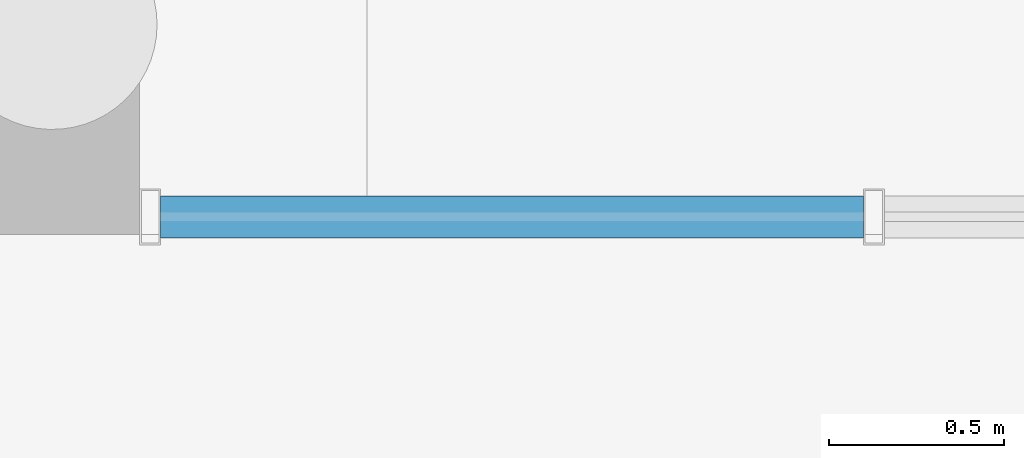
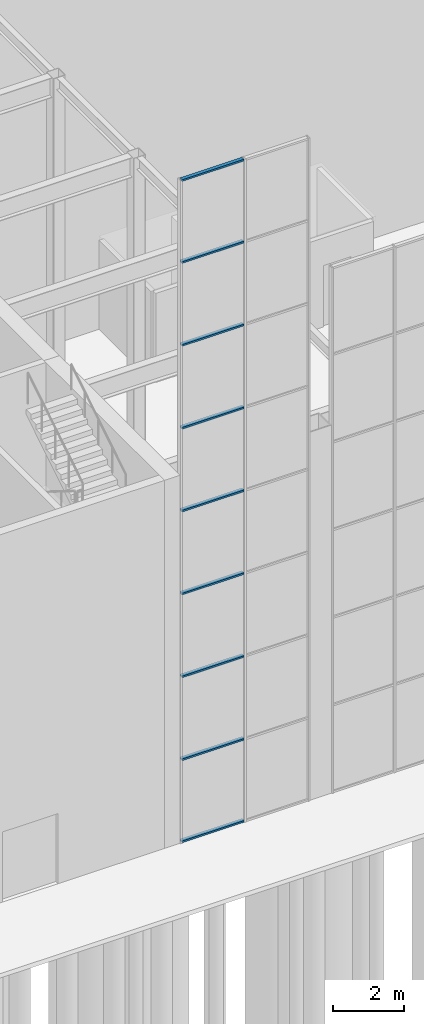
# One storey, part 10 of 58: 9 members, 1 element without a shape of its own.
"""IFC4 building model written with IfcOpenShell, lengths in metres."""

from ifc_helpers import new_model, si_unit, direction, frame, origin, origin_2d, place, context, subcontext, project, spatial, hollow_rectangle, extrude, material, layer, layer_set, material_profile, profile_set, type_object, element, aggregate, save


model = new_model("IFC4")

# Units and contexts
model_context = context("Model", 3, precision=1e-05, world=origin(), true_north=direction((0.0, 1.0)))
body_context = subcontext(model_context, "Body", "Model", "MODEL_VIEW")
ifc_project = project(units=[si_unit("LENGTHUNIT", "METRE"), si_unit("AREAUNIT", "SQUARE_METRE"), si_unit("VOLUMEUNIT", "CUBIC_METRE"), si_unit("PLANEANGLEUNIT", "RADIAN"), si_unit("MASSUNIT", "GRAM", prefix="KILO")], contexts=[model_context])

# Site, building, storey
site_placement = place(None, origin())
site = spatial("IfcSite", under=ifc_project, at=site_placement, CompositionType="ELEMENT")
building_placement = place(site_placement, origin())
building = spatial("IfcBuilding", under=site, at=building_placement, Name="Baori Bourse Tower", CompositionType="ELEMENT")
storey_placement = place(building_placement, origin())
storey = spatial("IfcBuildingStorey", under=building, at=storey_placement, Name="L00", CompositionType="ELEMENT", Elevation=0.0)

# Curtain wall, members
ifc_material_1 = material(Name="Pale anodised aluminium", Category="aluminium")
ifc_layer = layer(ifc_material_1, 0.10009765625)
ifc_layer_set = layer_set([ifc_layer], Name="Wing curtain wall")
curtain_wall_type = type_object("IfcCurtainWallType", Name="Wing curtain wall", PredefinedType="NOTDEFINED", material=ifc_layer_set)
curtain_wall_placement = place(storey_placement, origin())
curtain_wall = element("IfcCurtainWall", 1, at=curtain_wall_placement, inside=storey, type_object=curtain_wall_type, Name="wing/L00/hallcw/001", PredefinedType="NOTDEFINED")
ifc_material_2 = material(Name="Pale anodised aluminium", Category="aluminium")
ifc_material_profile = material_profile(ifc_material_2, hollow_rectangle(XDim=0.1201171875, YDim=0.06005859375, WallThickness=0.0048828125, at=origin_2d()), Name="Transom 120x60x5")
ifc_profile_set = profile_set([ifc_material_profile], Name="Pale anodised aluminium")
member_type = type_object("IfcMemberType", Name="Wing transom 120x60", PredefinedType="USERDEFINED", material=ifc_profile_set)
member_1_placement = place(storey_placement, frame((0.31005859375, -25.14990234375, 0.030029296875), z_axis=(1.0, 0.0, 0.0), x_axis=(0.0, 1.0, 0.0)))
member_1 = element("IfcMember", 2, at=member_1_placement, type_object=member_type, Name="X12 transom 1.1", ObjectType="TRANSOM", PredefinedType="USERDEFINED", context=body_context, shape_type="SweptSolid", body=[
    extrude(hollow_rectangle(XDim=0.1201171875, YDim=0.06005859375, WallThickness=0.0048828125, at=origin_2d()), origin(), (0.0, 0.0, 1.0), 2.010009765625),
])
member_2_placement = place(storey_placement, frame((0.31005859375, -25.14990234375, 2.83740234375), z_axis=(1.0, 0.0, 0.0), x_axis=(0.0, 1.0, 0.0)))
member_2 = element("IfcMember", 3, at=member_2_placement, type_object=member_type, Name="X12 transom 1.2", ObjectType="TRANSOM", PredefinedType="USERDEFINED", context=body_context, shape_type="SweptSolid", body=[
    extrude(hollow_rectangle(XDim=0.1201171875, YDim=0.06005859375, WallThickness=0.0048828125, at=origin_2d()), origin(), (0.0, 0.0, 1.0), 2.010009765625),
])
member_3_placement = place(storey_placement, frame((0.31005859375, -25.14990234375, 5.675048828125), z_axis=(1.0, 0.0, 0.0), x_axis=(0.0, 1.0, 0.0)))
member_3 = element("IfcMember", 4, at=member_3_placement, type_object=member_type, Name="X12 transom 1.3", ObjectType="TRANSOM", PredefinedType="USERDEFINED", context=body_context, shape_type="SweptSolid", body=[
    extrude(hollow_rectangle(XDim=0.1201171875, YDim=0.06005859375, WallThickness=0.0048828125, at=origin_2d()), origin(), (0.0, 0.0, 1.0), 2.010009765625),
])
member_4_placement = place(storey_placement, frame((0.31005859375, -25.14990234375, 8.512451171875), z_axis=(1.0, 0.0, 0.0), x_axis=(0.0, 1.0, 0.0)))
member_4 = element("IfcMember", 5, at=member_4_placement, type_object=member_type, Name="X12 transom 1.4", ObjectType="TRANSOM", PredefinedType="USERDEFINED", context=body_context, shape_type="SweptSolid", body=[
    extrude(hollow_rectangle(XDim=0.1201171875, YDim=0.06005859375, WallThickness=0.0048828125, at=origin_2d()), origin(), (0.0, 0.0, 1.0), 2.010009765625),
])
member_5_placement = place(storey_placement, frame((0.31005859375, -25.14990234375, 11.35009765625), z_axis=(1.0, 0.0, 0.0), x_axis=(0.0, 1.0, 0.0)))
member_5 = element("IfcMember", 6, at=member_5_placement, type_object=member_type, Name="X12 transom 1.5", ObjectType="TRANSOM", PredefinedType="USERDEFINED", context=body_context, shape_type="SweptSolid", body=[
    extrude(hollow_rectangle(XDim=0.1201171875, YDim=0.06005859375, WallThickness=0.0048828125, at=origin_2d()), origin(), (0.0, 0.0, 1.0), 2.010009765625),
])
member_6_placement = place(storey_placement, frame((0.31005859375, -25.14990234375, 14.1875), z_axis=(1.0, 0.0, 0.0), x_axis=(0.0, 1.0, 0.0)))
member_6 = element("IfcMember", 7, at=member_6_placement, type_object=member_type, Name="X12 transom 1.6", ObjectType="TRANSOM", PredefinedType="USERDEFINED", context=body_context, shape_type="SweptSolid", body=[
    extrude(hollow_rectangle(XDim=0.1201171875, YDim=0.06005859375, WallThickness=0.0048828125, at=origin_2d()), origin(), (0.0, 0.0, 1.0), 2.010009765625),
])
member_7_placement = place(storey_placement, frame((0.31005859375, -25.14990234375, 17.02490234375), z_axis=(1.0, 0.0, 0.0), x_axis=(0.0, 1.0, 0.0)))
member_7 = element("IfcMember", 8, at=member_7_placement, type_object=member_type, Name="X12 transom 1.7", ObjectType="TRANSOM", PredefinedType="USERDEFINED", context=body_context, shape_type="SweptSolid", body=[
    extrude(hollow_rectangle(XDim=0.1201171875, YDim=0.06005859375, WallThickness=0.0048828125, at=origin_2d()), origin(), (0.0, 0.0, 1.0), 2.010009765625),
])
member_8_placement = place(storey_placement, frame((0.31005859375, -25.14990234375, 19.862548828125), z_axis=(1.0, 0.0, 0.0), x_axis=(0.0, 1.0, 0.0)))
member_8 = element("IfcMember", 9, at=member_8_placement, type_object=member_type, Name="X12 transom 1.8", ObjectType="TRANSOM", PredefinedType="USERDEFINED", context=body_context, shape_type="SweptSolid", body=[
    extrude(hollow_rectangle(XDim=0.1201171875, YDim=0.06005859375, WallThickness=0.0048828125, at=origin_2d()), origin(), (0.0, 0.0, 1.0), 2.010009765625),
])
member_9_placement = place(storey_placement, frame((0.31005859375, -25.14990234375, 22.669921875), z_axis=(1.0, 0.0, 0.0), x_axis=(0.0, 1.0, 0.0)))
member_9 = element("IfcMember", 10, at=member_9_placement, type_object=member_type, Name="X12 transom 1.9", ObjectType="TRANSOM", PredefinedType="USERDEFINED", context=body_context, shape_type="SweptSolid", body=[
    extrude(hollow_rectangle(XDim=0.1201171875, YDim=0.06005859375, WallThickness=0.0048828125, at=origin_2d()), origin(), (0.0, 0.0, 1.0), 2.010009765625),
])
aggregate(curtain_wall, [member_1, member_2, member_3, member_4, member_5, member_6, member_7, member_8, member_9])

save(model, "model.ifc")
